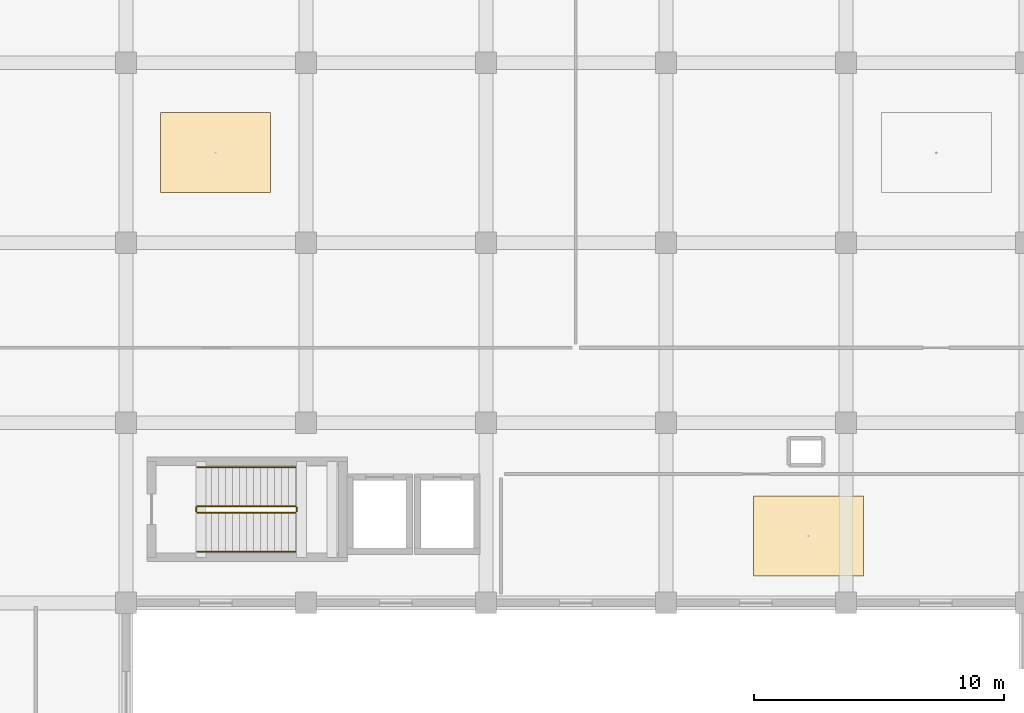
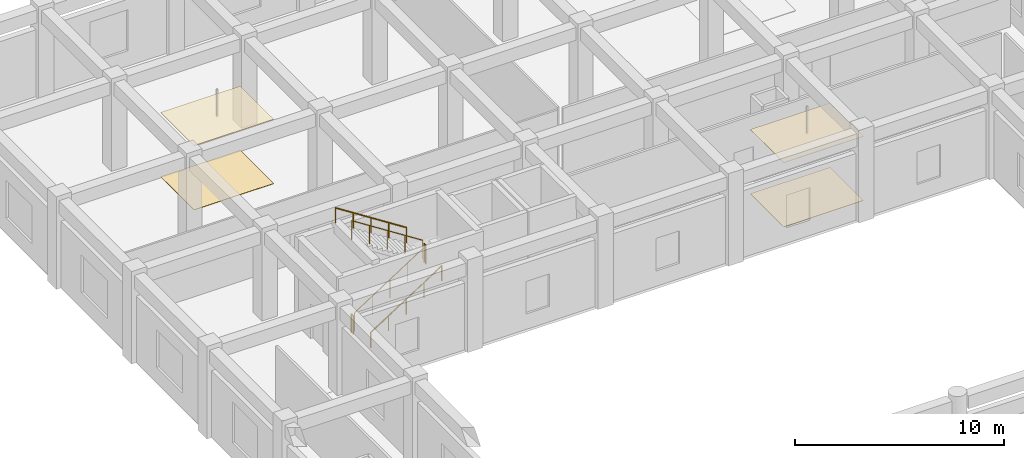
# One storey, part 53 of 56: 6 railings, 4 coverings.
"""IFC4 building model written with IfcOpenShell, lengths in metres."""

from ifc_helpers import new_model, si_unit, direction, frame, origin, origin_2d, place, context, subcontext, project, spatial, rectangle, circle, extrude, material, layer, layer_set, type_object, element, save


model = new_model("IFC4")

# Units and contexts
model_context = context("Model", 3, precision=1e-05, world=origin(), true_north=direction((0.0, 1.0)))
body_context = subcontext(model_context, "Body", "Model", "MODEL_VIEW")
ifc_project = project(units=[si_unit("LENGTHUNIT", "METRE"), si_unit("AREAUNIT", "SQUARE_METRE"), si_unit("VOLUMEUNIT", "CUBIC_METRE"), si_unit("PLANEANGLEUNIT", "RADIAN"), si_unit("MASSUNIT", "GRAM", prefix="KILO")], contexts=[model_context])

# Site, building, storey
site_placement = place(None, origin())
site = spatial("IfcSite", under=ifc_project, at=site_placement, CompositionType="ELEMENT")
building_placement = place(site_placement, origin())
building = spatial("IfcBuilding", under=site, at=building_placement, Name="Kazehaya Institute of Natural Sciences", CompositionType="ELEMENT")
storey_placement = place(building_placement, origin())
storey = spatial("IfcBuildingStorey", under=building, at=storey_placement, Name="L00", CompositionType="ELEMENT", Elevation=0.0)

# Coverings
ifc_material_1 = material(Name="Mineral-fibre acoustic ceiling tile")
ifc_layer_1 = layer(ifc_material_1, 0.02490234375, Name="Mineral-fibre acoustic ceiling tile")
ifc_layer_set_1 = layer_set([ifc_layer_1], Name="Mineral-fibre acoustic ceiling tile")
covering_type_1 = type_object("IfcCoveringType", Name="COV-CEIL-AC", PredefinedType="CEILING", material=ifc_layer_set_1)
for number, where, z_axis, x_axis, name in (
    (1, (72.587158203125, 104.00732421875, 3.74755859375), (0.0, 0.0, 1.0), (1.0, 0.0, 0.0), "L00 Dry Computational Laboratory ceiling 12"),
    (2, (96.300048828125, 88.675048828125, 3.74755859375), (0.0, 0.0, 1.0), (1.0, 0.0, 0.0), "L00 Researcher Write-up Office ceiling 14"),
):
    element("IfcCovering", number, at=place(storey_placement, frame(where, z_axis=z_axis, x_axis=x_axis)), inside=storey, type_object=covering_type_1, Name=name, PredefinedType="CEILING", context=body_context, shape_type="SweptSolid", body=[
        extrude(rectangle(XDim=4.39990234375, YDim=3.199951171875, at=origin_2d()), origin(), (0.0, 0.0, 1.0), 0.02490234375),
    ])
ifc_material_2 = material(Name="Polished Sawara stone terrazzo flooring", Category="masonry")
ifc_layer_2 = layer(ifc_material_2, 0.02001953125, Name="Polished Sawara stone terrazzo flooring", Category="masonry")
ifc_layer_set_2 = layer_set([ifc_layer_2], Name="Polished Sawara stone terrazzo flooring")
covering_type_2 = type_object("IfcCoveringType", Name="COV-FLR-TRZ", PredefinedType="FLOORING", material=ifc_layer_set_2)
for number, where, z_axis, x_axis, name in (
    (3, (72.587158203125, 104.00732421875, 0.0), (0.0, 0.0, 1.0), (1.0, 0.0, 0.0), "L00 Dry Computational Laboratory finish flooring 12"),
    (4, (96.300048828125, 88.675048828125, 0.0), (0.0, 0.0, 1.0), (1.0, 0.0, 0.0), "L00 Researcher Write-up Office finish flooring 14"),
):
    element("IfcCovering", number, at=place(storey_placement, frame(where, z_axis=z_axis, x_axis=x_axis)), inside=storey, type_object=covering_type_2, Name=name, PredefinedType="FLOORING", context=body_context, shape_type="SweptSolid", body=[
        extrude(rectangle(XDim=4.39990234375, YDim=3.199951171875, at=origin_2d()), origin(), (0.0, 0.0, 1.0), 0.02001953125),
    ])

# Railings
ifc_material_3 = material(Name="Structural steel SN490B", Category="steel")
railing_type_1 = type_object("IfcRailingType", Name="RL-STAIR-GRD", PredefinedType="GUARDRAIL", material=ifc_material_3)
railing_1_placement = place(storey_placement, frame((71.860107421875, 89.610107421875, 0.179931640625)))
element("IfcRailing", 5, at=railing_1_placement, inside=storey, type_object=railing_type_1, Name="L00 ST-3 stair guard 1", PredefinedType="GUARDRAIL", context=body_context, shape_type="SweptSolid", body=[
    extrude(circle(Radius=0.02392578125, at=origin_2d()), frame((0.0, 0.0, 1.076171875), z_axis=(0.841171666519, 0.0, 0.540768182723), x_axis=(0.0, 1.0, 0.0)), (0.0, 0.0, 1.0), 4.66015625),
    extrude(circle(Radius=0.02099609375, at=origin_2d()), origin(), (0.0, 0.0, 1.0), 1.052001953125),
    extrude(circle(Radius=0.02099609375, at=origin_2d()), frame((0.97998046875, 0.0, 0.6298828125)), (0.0, 0.0, 1.0), 1.052001953125),
    extrude(circle(Radius=0.02099609375, at=origin_2d()), frame((1.9599609375, 0.0, 1.260009765625)), (0.0, 0.0, 1.0), 1.052001953125),
    extrude(circle(Radius=0.02099609375, at=origin_2d()), frame((2.93994140625, 0.0, 1.89013671875)), (0.0, 0.0, 1.0), 1.052001953125),
    extrude(circle(Radius=0.02099609375, at=origin_2d()), frame((3.919921875, 0.0, 2.52001953125)), (0.0, 0.0, 1.0), 1.052001953125),
])
railing_2_placement = place(storey_placement, frame((75.830078125, 89.659912109375, 2.699951171875)))
element("IfcRailing", 6, at=railing_2_placement, inside=storey, type_object=railing_type_1, Name="L00 ST-3 stair guard 2", PredefinedType="GUARDRAIL", context=body_context, shape_type="SweptSolid", body=[
    extrude(circle(Radius=0.02392578125, at=origin_2d()), frame((0.0, 0.0, 1.076171875), z_axis=(0.0, 1.0, 0.0), x_axis=(-1.0, 0.0, 0.0)), (0.0, 0.0, 1.0), 0.16015625),
    extrude(circle(Radius=0.02099609375, at=origin_2d()), origin(), (0.0, 0.0, 1.0), 1.052001953125),
    extrude(circle(Radius=0.02099609375, at=origin_2d()), frame((0.0, 0.16015625, 0.0)), (0.0, 0.0, 1.0), 1.052001953125),
])
railing_3_placement = place(storey_placement, frame((75.780029296875, 89.8701171875, 2.8798828125)))
element("IfcRailing", 7, at=railing_3_placement, inside=storey, type_object=railing_type_1, Name="L00 ST-3 stair guard 3", PredefinedType="GUARDRAIL", context=body_context, shape_type="SweptSolid", body=[
    extrude(circle(Radius=0.02392578125, at=origin_2d()), frame((0.0, 0.0, 1.076171875), z_axis=(-0.841171666519, 0.0, 0.540768182723), x_axis=(0.0, -1.0, 0.0)), (0.0, 0.0, 1.0), 4.66015625),
    extrude(circle(Radius=0.02099609375, at=origin_2d()), origin(), (0.0, 0.0, 1.0), 1.052001953125),
    extrude(circle(Radius=0.02099609375, at=origin_2d()), frame((-0.97998046875, 0.0, 0.6298828125)), (0.0, 0.0, 1.0), 1.052001953125),
    extrude(circle(Radius=0.02099609375, at=origin_2d()), frame((-1.9599609375, 0.0, 1.260009765625)), (0.0, 0.0, 1.0), 1.052001953125),
    extrude(circle(Radius=0.02099609375, at=origin_2d()), frame((-2.93994140625, 0.0, 1.89013671875)), (0.0, 0.0, 1.0), 1.052001953125),
    extrude(circle(Radius=0.02099609375, at=origin_2d()), frame((-3.919921875, 0.0, 2.52001953125)), (0.0, 0.0, 1.0), 1.052001953125),
])
railing_4_placement = place(storey_placement, frame((71.81005859375, 89.659912109375, 0.0)))
element("IfcRailing", 8, at=railing_4_placement, inside=storey, type_object=railing_type_1, Name="L00 ST-3 stair guard 4", PredefinedType="GUARDRAIL", context=body_context, shape_type="SweptSolid", body=[
    extrude(circle(Radius=0.02392578125, at=origin_2d()), frame((0.0, 0.0, 1.076171875), z_axis=(0.0, 1.0, 0.0), x_axis=(-1.0, 0.0, 0.0)), (0.0, 0.0, 1.0), 0.16015625),
    extrude(circle(Radius=0.02099609375, at=origin_2d()), origin(), (0.0, 0.0, 1.0), 1.052001953125),
    extrude(circle(Radius=0.02099609375, at=origin_2d()), frame((0.0, 0.16015625, 0.0)), (0.0, 0.0, 1.0), 1.052001953125),
])
ifc_material_4 = material(Name="Brushed stainless steel handrail", Category="steel")
railing_type_2 = type_object("IfcRailingType", Name="RL-STAIR-HND", PredefinedType="HANDRAIL", material=ifc_material_4)
railing_5_placement = place(storey_placement, frame((71.860107421875, 88.050048828125, 0.179931640625)))
element("IfcRailing", 9, at=railing_5_placement, inside=storey, type_object=railing_type_2, Name="L00 ST-3 stair handrail 1", PredefinedType="HANDRAIL", context=body_context, shape_type="SweptSolid", body=[
    extrude(circle(Radius=0.02392578125, at=origin_2d()), frame((0.0, 0.0, 0.8759765625), z_axis=(0.841171666519, 0.0, 0.540768182723), x_axis=(0.0, 1.0, 0.0)), (0.0, 0.0, 1.0), 4.66015625),
    extrude(circle(Radius=0.02099609375, at=origin_2d()), origin(), (0.0, 0.0, 1.0), 0.851806640625),
    extrude(circle(Radius=0.02099609375, at=origin_2d()), frame((0.97998046875, 0.0, 0.6298828125)), (0.0, 0.0, 1.0), 0.851806640625),
    extrude(circle(Radius=0.02099609375, at=origin_2d()), frame((1.9599609375, 0.0, 1.260009765625)), (0.0, 0.0, 1.0), 0.851806640625),
    extrude(circle(Radius=0.02099609375, at=origin_2d()), frame((2.93994140625, 0.0, 1.89013671875)), (0.0, 0.0, 1.0), 0.851806640625),
    extrude(circle(Radius=0.02099609375, at=origin_2d()), frame((3.919921875, 0.0, 2.52001953125)), (0.0, 0.0, 1.0), 0.851806640625),
])
railing_6_placement = place(storey_placement, frame((75.780029296875, 91.429931640625, 2.8798828125)))
element("IfcRailing", 10, at=railing_6_placement, inside=storey, type_object=railing_type_2, Name="L00 ST-3 stair handrail 2", PredefinedType="HANDRAIL", context=body_context, shape_type="SweptSolid", body=[
    extrude(circle(Radius=0.02392578125, at=origin_2d()), frame((0.0, 0.0, 0.8759765625), z_axis=(-0.841171666519, 0.0, 0.540768182723), x_axis=(0.0, -1.0, 0.0)), (0.0, 0.0, 1.0), 4.66015625),
    extrude(circle(Radius=0.02099609375, at=origin_2d()), origin(), (0.0, 0.0, 1.0), 0.851806640625),
    extrude(circle(Radius=0.02099609375, at=origin_2d()), frame((-0.97998046875, 0.0, 0.6298828125)), (0.0, 0.0, 1.0), 0.851806640625),
    extrude(circle(Radius=0.02099609375, at=origin_2d()), frame((-1.9599609375, 0.0, 1.260009765625)), (0.0, 0.0, 1.0), 0.851806640625),
    extrude(circle(Radius=0.02099609375, at=origin_2d()), frame((-2.93994140625, 0.0, 1.89013671875)), (0.0, 0.0, 1.0), 0.851806640625),
    extrude(circle(Radius=0.02099609375, at=origin_2d()), frame((-3.919921875, 0.0, 2.52001953125)), (0.0, 0.0, 1.0), 0.851806640625),
])

save(model, "model.ifc")
